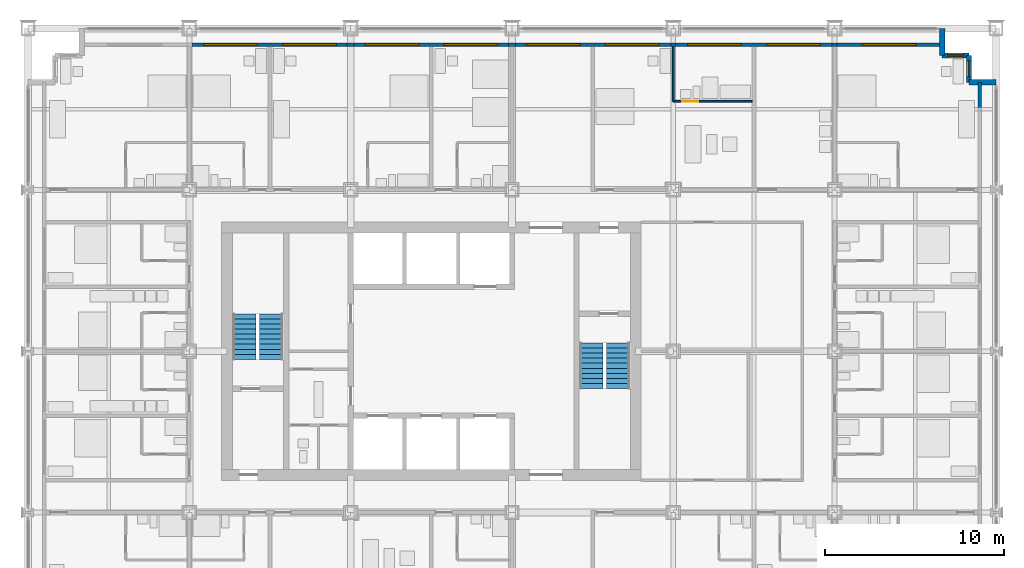
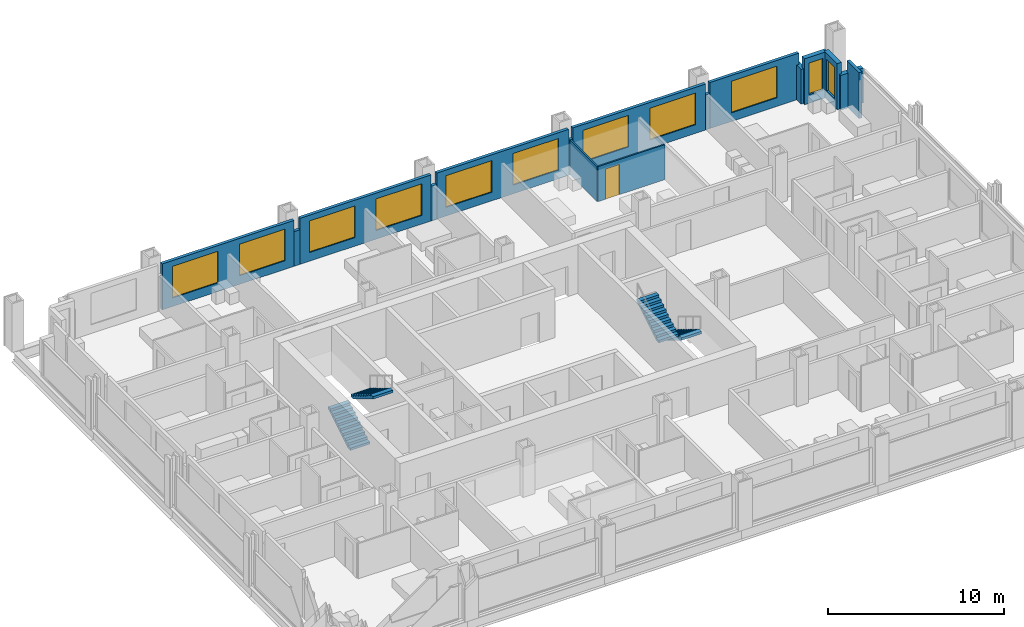
# One storey, part 15 of 18: 16 walls, 11 windows, 4 stair flights, 1 door, 12 openings, 2 elements without a shape of their own.
"""IFC4 building model written with IfcOpenShell, lengths in metres."""

from ifc_helpers import new_model, si_unit, direction, frame, frame_2d, origin, place, context, subcontext, project, spatial, polyline, rectangle, outline, extrude, material, layer, layer_set, type_object, element, fill, aggregate, save


model = new_model("IFC4")

# Units and contexts
model_context = context("Model", 3, precision=1e-05, world=origin(), true_north=direction((0.0, 1.0)))
body_context = subcontext(model_context, "Body", "Model", "MODEL_VIEW")
ifc_project = project(units=[si_unit("LENGTHUNIT", "METRE"), si_unit("AREAUNIT", "SQUARE_METRE"), si_unit("VOLUMEUNIT", "CUBIC_METRE"), si_unit("PLANEANGLEUNIT", "RADIAN"), si_unit("MASSUNIT", "GRAM", prefix="KILO")], contexts=[model_context])

# Site, building, storey
site_placement = place(None, origin())
site = spatial("IfcSite", under=ifc_project, at=site_placement, CompositionType="ELEMENT")
building_placement = place(site_placement, origin())
building = spatial("IfcBuilding", under=site, at=building_placement, Name="Loomwork Tower", CompositionType="ELEMENT")
storey_placement = place(building_placement, frame((0.0, 0.0, 51.800048828125)))
storey = spatial("IfcBuildingStorey", under=building, at=storey_placement, Name="L12", CompositionType="ELEMENT", Elevation=51.800048828125)

# Wall, opening, door
ifc_material_1 = material(Name="Cement board on steel studs", Category="steel")
ifc_layer_1 = layer(ifc_material_1, 0.10009765625)
ifc_layer_set_1 = layer_set([ifc_layer_1], Name="En-suite partition 100")
wall_type_1 = type_object("IfcWallType", Name="En-suite partition 100", PredefinedType="PARTITIONING", material=ifc_layer_set_1)
wall_1_placement = place(storey_placement, frame((36.0, 31.949951171875, 0.0), z_axis=(0.0, 0.0, 1.0), x_axis=(1.0, 0.0, 0.0)))
wall_1 = element("IfcWall", 1, at=wall_1_placement, inside=storey, type_object=wall_type_1, Name="Spa bathroom wall L12 room 12", PredefinedType="PARTITIONING", context=body_context, shape_type="SweptSolid", body=[
    extrude(rectangle(XDim=4.39990234375, YDim=0.10009765625, at=frame_2d((2.199951171875, 0.0))), origin(), (0.0, 0.0, 1.0), 2.43798828125),
])
opening_1_placement = place(wall_1_placement, frame((0.5, 0.0, 0.0)))
opening_1 = element("IfcOpeningElement", 2, at=opening_1_placement, cuts=wall_1, Name="Opening D2", PredefinedType="OPENING", context=body_context, shape_type="SweptSolid", body=[
    extrude(rectangle(XDim=0.89990234375, YDim=2.10009765625, at=frame_2d((0.449951171875, 1.050048828125))), frame((0.0, 0.06005859375, 0.0), z_axis=(0.0, -1.0, 0.0), x_axis=(1.0, 0.0, 0.0)), (0.0, 0.0, 1.0), 0.1201171875),
])
ifc_material_2 = material(Name="Hollow metal door and frame")
door_type = type_object("IfcDoorType", Name="En-suite door 900", OperationType="SINGLE_SWING_LEFT", PredefinedType="DOOR", material=ifc_material_2)
door_placement = place(opening_1_placement, origin())
door = element("IfcDoor", 3, at=door_placement, inside=storey, type_object=door_type, Name="Spa bathroom door room 12", OperationType="SINGLE_SWING_LEFT", OverallHeight=2.10009765625, OverallWidth=0.89990234375, PredefinedType="DOOR", context=body_context, shape_type="SweptSolid", body=[
    extrude(rectangle(XDim=0.89990234375, YDim=2.10009765625, at=frame_2d((0.449951171875, 1.050048828125))), frame((0.0, 0.02490234375, 0.0), z_axis=(0.0, -1.0, 0.0), x_axis=(1.0, 0.0, 0.0)), (0.0, 0.0, 1.0), 0.050048828125),
])
fill(opening_1, door)

# Wall
wall_2_placement = place(storey_placement, frame((36.0, 31.949951171875, 0.0), z_axis=(0.0, 0.0, 1.0), x_axis=(0.0, 1.0, 0.0)))
element("IfcWall", 4, at=wall_2_placement, inside=storey, type_object=wall_type_1, Name="Spa bathroom side wall L12 room 12", PredefinedType="PARTITIONING", context=body_context, shape_type="SweptSolid", body=[
    extrude(rectangle(XDim=3.050048828125, YDim=0.10009765625, at=frame_2d((1.52490234375, 0.0))), origin(), (0.0, 0.0, 1.0), 2.43798828125),
])

# Wall, openings, windows
ifc_material_3 = material(Name="Insulated steel stud wall with gypsum lining", Category="steel")
ifc_layer_2 = layer(ifc_material_3, 0.199951171875)
ifc_layer_set_2 = layer_set([ifc_layer_2], Name="Inner skin wall 200")
wall_type_2 = type_object("IfcWallType", Name="Inner skin wall 200", PredefinedType="SOLIDWALL", material=ifc_layer_set_2)
wall_3_placement = place(storey_placement, frame((9.13525390625, 35.10009765625, 0.0), z_axis=(0.0, 0.0, 1.0), x_axis=(1.0, 0.0, 0.0)))
wall_3 = element("IfcWall", 5, at=wall_3_placement, inside=storey, type_object=wall_type_2, Name="Inner skin wall N bay 3", PredefinedType="SOLIDWALL", context=body_context, shape_type="SweptSolid", body=[
    extrude(rectangle(XDim=8.6708984375, YDim=0.199951171875, at=frame_2d((4.33544921875, 0.0))), origin(), (0.0, 0.0, 1.0), 3.199951171875),
])
opening_2_placement = place(wall_3_placement, frame((0.664794921875, 0.0, 0.60009765625)))
opening_2 = element("IfcOpeningElement", 6, at=opening_2_placement, cuts=wall_3, Name="Opening CH1", PredefinedType="OPENING", context=body_context, shape_type="SweptSolid", body=[
    extrude(rectangle(XDim=3.0, YDim=2.199951171875, at=frame_2d((1.5, 1.10009765625))), frame((0.0, 0.10986328125, 0.0), z_axis=(0.0, -1.0, 0.0), x_axis=(1.0, 0.0, 0.0)), (0.0, 0.0, 1.0), 0.219970703125),
])
opening_3_placement = place(wall_3_placement, frame((5.064697265625, 0.0, 0.60009765625)))
opening_3 = element("IfcOpeningElement", 7, at=opening_3_placement, cuts=wall_3, Name="Opening CH1", PredefinedType="OPENING", context=body_context, shape_type="SweptSolid", body=[
    extrude(rectangle(XDim=3.0, YDim=2.199951171875, at=frame_2d((1.5, 1.10009765625))), frame((0.0, 0.10986328125, 0.0), z_axis=(0.0, -1.0, 0.0), x_axis=(1.0, 0.0, 0.0)), (0.0, 0.0, 1.0), 0.219970703125),
])
ifc_material_4 = material(Name="Aluminium frame with clear insulated glass", Category="aluminium")
window_type_1 = type_object("IfcWindowType", Name="Chicago window 3000", PartitioningType="TRIPLE_PANEL_VERTICAL", PredefinedType="WINDOW", material=ifc_material_4)
window_1_placement = place(opening_2_placement, origin())
window_1 = element("IfcWindow", 8, at=window_1_placement, inside=storey, type_object=window_type_1, Name="Chicago window L12 bay 8", OverallHeight=2.199951171875, OverallWidth=3.0, PartitioningType="TRIPLE_PANEL_VERTICAL", PredefinedType="WINDOW", context=body_context, shape_type="SweptSolid", body=[
    extrude(rectangle(XDim=3.0, YDim=2.199951171875, at=frame_2d((1.5, 1.10009765625))), frame((0.0, 0.030029296875, 0.0), z_axis=(0.0, -1.0, 0.0), x_axis=(1.0, 0.0, 0.0)), (0.0, 0.0, 1.0), 0.06005859375),
])
fill(opening_2, window_1)
window_2_placement = place(opening_3_placement, origin())
window_2 = element("IfcWindow", 9, at=window_2_placement, inside=storey, type_object=window_type_1, Name="Chicago window L12 bay 8", OverallHeight=2.199951171875, OverallWidth=3.0, PartitioningType="TRIPLE_PANEL_VERTICAL", PredefinedType="WINDOW", context=body_context, shape_type="SweptSolid", body=[
    extrude(rectangle(XDim=3.0, YDim=2.199951171875, at=frame_2d((1.5, 1.10009765625))), frame((0.0, 0.030029296875, 0.0), z_axis=(0.0, -1.0, 0.0), x_axis=(1.0, 0.0, 0.0)), (0.0, 0.0, 1.0), 0.06005859375),
])
fill(opening_3, window_2)

# Wall
wall_4_placement = place(storey_placement, frame((17.80615234375, 35.10009765625, 0.0), z_axis=(0.0, 0.0, 1.0), x_axis=(1.0, 0.0, 0.0)))
element("IfcWall", 10, at=wall_4_placement, inside=storey, type_object=wall_type_2, Name="Inner skin wall N bay 4", PredefinedType="SOLIDWALL", context=body_context, shape_type="SweptSolid", body=[
    extrude(rectangle(XDim=0.3876953125, YDim=0.199951171875, at=frame_2d((0.19384765625, 0.0))), origin(), (0.0, 0.0, 1.0), 2.404052734375),
])

# Wall, openings, windows
wall_5_placement = place(storey_placement, frame((18.19384765625, 35.10009765625, 0.0), z_axis=(0.0, 0.0, 1.0), x_axis=(1.0, 0.0, 0.0)))
wall_5 = element("IfcWall", 11, at=wall_5_placement, inside=storey, type_object=wall_type_2, Name="Inner skin wall N bay 5", PredefinedType="SOLIDWALL", context=body_context, shape_type="SweptSolid", body=[
    extrude(rectangle(XDim=8.6123046875, YDim=0.199951171875, at=frame_2d((4.30615234375, 0.0))), origin(), (0.0, 0.0, 1.0), 3.199951171875),
])
opening_4_placement = place(wall_5_placement, frame((0.606201171875, 0.0, 0.60009765625)))
opening_4 = element("IfcOpeningElement", 12, at=opening_4_placement, cuts=wall_5, Name="Opening CH1", PredefinedType="OPENING", context=body_context, shape_type="SweptSolid", body=[
    extrude(rectangle(XDim=3.0, YDim=2.199951171875, at=frame_2d((1.5, 1.10009765625))), frame((0.0, 0.10986328125, 0.0), z_axis=(0.0, -1.0, 0.0), x_axis=(1.0, 0.0, 0.0)), (0.0, 0.0, 1.0), 0.219970703125),
])
opening_5_placement = place(wall_5_placement, frame((5.006103515625, 0.0, 0.60009765625)))
opening_5 = element("IfcOpeningElement", 13, at=opening_5_placement, cuts=wall_5, Name="Opening CH1", PredefinedType="OPENING", context=body_context, shape_type="SweptSolid", body=[
    extrude(rectangle(XDim=3.0, YDim=2.199951171875, at=frame_2d((1.5, 1.10009765625))), frame((0.0, 0.10986328125, 0.0), z_axis=(0.0, -1.0, 0.0), x_axis=(1.0, 0.0, 0.0)), (0.0, 0.0, 1.0), 0.219970703125),
])
window_3_placement = place(opening_4_placement, origin())
window_3 = element("IfcWindow", 14, at=window_3_placement, inside=storey, type_object=window_type_1, Name="Chicago window L12 bay 9", OverallHeight=2.199951171875, OverallWidth=3.0, PartitioningType="TRIPLE_PANEL_VERTICAL", PredefinedType="WINDOW", context=body_context, shape_type="SweptSolid", body=[
    extrude(rectangle(XDim=3.0, YDim=2.199951171875, at=frame_2d((1.5, 1.10009765625))), frame((0.0, 0.030029296875, 0.0), z_axis=(0.0, -1.0, 0.0), x_axis=(1.0, 0.0, 0.0)), (0.0, 0.0, 1.0), 0.06005859375),
])
fill(opening_4, window_3)
window_4_placement = place(opening_5_placement, origin())
window_4 = element("IfcWindow", 15, at=window_4_placement, inside=storey, type_object=window_type_1, Name="Chicago window L12 bay 9", OverallHeight=2.199951171875, OverallWidth=3.0, PartitioningType="TRIPLE_PANEL_VERTICAL", PredefinedType="WINDOW", context=body_context, shape_type="SweptSolid", body=[
    extrude(rectangle(XDim=3.0, YDim=2.199951171875, at=frame_2d((1.5, 1.10009765625))), frame((0.0, 0.030029296875, 0.0), z_axis=(0.0, -1.0, 0.0), x_axis=(1.0, 0.0, 0.0)), (0.0, 0.0, 1.0), 0.06005859375),
])
fill(opening_5, window_4)

# Wall
wall_6_placement = place(storey_placement, frame((26.80615234375, 35.10009765625, 0.0), z_axis=(0.0, 0.0, 1.0), x_axis=(1.0, 0.0, 0.0)))
element("IfcWall", 16, at=wall_6_placement, inside=storey, type_object=wall_type_2, Name="Inner skin wall N bay 6", PredefinedType="SOLIDWALL", context=body_context, shape_type="SweptSolid", body=[
    extrude(rectangle(XDim=0.3876953125, YDim=0.199951171875, at=frame_2d((0.19384765625, 0.0))), origin(), (0.0, 0.0, 1.0), 2.404052734375),
])

# Wall, openings, windows
wall_7_placement = place(storey_placement, frame((27.19384765625, 35.10009765625, 0.0), z_axis=(0.0, 0.0, 1.0), x_axis=(1.0, 0.0, 0.0)))
wall_7 = element("IfcWall", 17, at=wall_7_placement, inside=storey, type_object=wall_type_2, Name="Inner skin wall N bay 7", PredefinedType="SOLIDWALL", context=body_context, shape_type="SweptSolid", body=[
    extrude(rectangle(XDim=8.670654296875, YDim=0.199951171875, at=frame_2d((4.33544921875, 0.0))), origin(), (0.0, 0.0, 1.0), 3.199951171875),
])
opening_6_placement = place(wall_7_placement, frame((0.606201171875, 0.0, 0.60009765625)))
opening_6 = element("IfcOpeningElement", 18, at=opening_6_placement, cuts=wall_7, Name="Opening CH1", PredefinedType="OPENING", context=body_context, shape_type="SweptSolid", body=[
    extrude(rectangle(XDim=3.0, YDim=2.199951171875, at=frame_2d((1.5, 1.10009765625))), frame((0.0, 0.10986328125, 0.0), z_axis=(0.0, -1.0, 0.0), x_axis=(1.0, 0.0, 0.0)), (0.0, 0.0, 1.0), 0.219970703125),
])
opening_7_placement = place(wall_7_placement, frame((5.006103515625, 0.0, 0.60009765625)))
opening_7 = element("IfcOpeningElement", 19, at=opening_7_placement, cuts=wall_7, Name="Opening CH1", PredefinedType="OPENING", context=body_context, shape_type="SweptSolid", body=[
    extrude(rectangle(XDim=3.0, YDim=2.199951171875, at=frame_2d((1.5, 1.10009765625))), frame((0.0, 0.10986328125, 0.0), z_axis=(0.0, -1.0, 0.0), x_axis=(1.0, 0.0, 0.0)), (0.0, 0.0, 1.0), 0.219970703125),
])
window_5_placement = place(opening_6_placement, origin())
window_5 = element("IfcWindow", 20, at=window_5_placement, inside=storey, type_object=window_type_1, Name="Chicago window L12 bay 10", OverallHeight=2.199951171875, OverallWidth=3.0, PartitioningType="TRIPLE_PANEL_VERTICAL", PredefinedType="WINDOW", context=body_context, shape_type="SweptSolid", body=[
    extrude(rectangle(XDim=3.0, YDim=2.199951171875, at=frame_2d((1.5, 1.10009765625))), frame((0.0, 0.030029296875, 0.0), z_axis=(0.0, -1.0, 0.0), x_axis=(1.0, 0.0, 0.0)), (0.0, 0.0, 1.0), 0.06005859375),
])
fill(opening_6, window_5)
window_6_placement = place(opening_7_placement, origin())
window_6 = element("IfcWindow", 21, at=window_6_placement, inside=storey, type_object=window_type_1, Name="Chicago window L12 bay 10", OverallHeight=2.199951171875, OverallWidth=3.0, PartitioningType="TRIPLE_PANEL_VERTICAL", PredefinedType="WINDOW", context=body_context, shape_type="SweptSolid", body=[
    extrude(rectangle(XDim=3.0, YDim=2.199951171875, at=frame_2d((1.5, 1.10009765625))), frame((0.0, 0.030029296875, 0.0), z_axis=(0.0, -1.0, 0.0), x_axis=(1.0, 0.0, 0.0)), (0.0, 0.0, 1.0), 0.06005859375),
])
fill(opening_7, window_6)

# Wall
wall_8_placement = place(storey_placement, frame((35.864501953125, 35.10009765625, 0.0), z_axis=(0.0, 0.0, 1.0), x_axis=(1.0, 0.0, 0.0)))
element("IfcWall", 22, at=wall_8_placement, inside=storey, type_object=wall_type_2, Name="Inner skin wall N bay 8", PredefinedType="SOLIDWALL", context=body_context, shape_type="SweptSolid", body=[
    extrude(rectangle(XDim=0.27099609375, YDim=0.199951171875, at=frame_2d((0.135498046875, 0.0))), origin(), (0.0, 0.0, 1.0), 2.43798828125),
])

# Wall, openings, windows
wall_9_placement = place(storey_placement, frame((36.135498046875, 35.10009765625, 0.0), z_axis=(0.0, 0.0, 1.0), x_axis=(1.0, 0.0, 0.0)))
wall_9 = element("IfcWall", 23, at=wall_9_placement, inside=storey, type_object=wall_type_2, Name="Inner skin wall N bay 9", PredefinedType="SOLIDWALL", context=body_context, shape_type="SweptSolid", body=[
    extrude(rectangle(XDim=8.72900390625, YDim=0.199951171875, at=frame_2d((4.364501953125, 0.0))), origin(), (0.0, 0.0, 1.0), 3.199951171875),
])
opening_8_placement = place(wall_9_placement, frame((0.66455078125, 0.0, 0.60009765625)))
opening_8 = element("IfcOpeningElement", 24, at=opening_8_placement, cuts=wall_9, Name="Opening CH1", PredefinedType="OPENING", context=body_context, shape_type="SweptSolid", body=[
    extrude(rectangle(XDim=3.0, YDim=2.199951171875, at=frame_2d((1.5, 1.10009765625))), frame((0.0, 0.10986328125, 0.0), z_axis=(0.0, -1.0, 0.0), x_axis=(1.0, 0.0, 0.0)), (0.0, 0.0, 1.0), 0.219970703125),
])
opening_9_placement = place(wall_9_placement, frame((5.064697265625, 0.0, 0.60009765625)))
opening_9 = element("IfcOpeningElement", 25, at=opening_9_placement, cuts=wall_9, Name="Opening CH1", PredefinedType="OPENING", context=body_context, shape_type="SweptSolid", body=[
    extrude(rectangle(XDim=3.0, YDim=2.199951171875, at=frame_2d((1.5, 1.10009765625))), frame((0.0, 0.10986328125, 0.0), z_axis=(0.0, -1.0, 0.0), x_axis=(1.0, 0.0, 0.0)), (0.0, 0.0, 1.0), 0.219970703125),
])
window_7_placement = place(opening_8_placement, origin())
window_7 = element("IfcWindow", 26, at=window_7_placement, inside=storey, type_object=window_type_1, Name="Chicago window L12 bay 11", OverallHeight=2.199951171875, OverallWidth=3.0, PartitioningType="TRIPLE_PANEL_VERTICAL", PredefinedType="WINDOW", context=body_context, shape_type="SweptSolid", body=[
    extrude(rectangle(XDim=3.0, YDim=2.199951171875, at=frame_2d((1.5, 1.10009765625))), frame((0.0, 0.030029296875, 0.0), z_axis=(0.0, -1.0, 0.0), x_axis=(1.0, 0.0, 0.0)), (0.0, 0.0, 1.0), 0.06005859375),
])
fill(opening_8, window_7)
window_8_placement = place(opening_9_placement, origin())
window_8 = element("IfcWindow", 27, at=window_8_placement, inside=storey, type_object=window_type_1, Name="Chicago window L12 bay 11", OverallHeight=2.199951171875, OverallWidth=3.0, PartitioningType="TRIPLE_PANEL_VERTICAL", PredefinedType="WINDOW", context=body_context, shape_type="SweptSolid", body=[
    extrude(rectangle(XDim=3.0, YDim=2.199951171875, at=frame_2d((1.5, 1.10009765625))), frame((0.0, 0.030029296875, 0.0), z_axis=(0.0, -1.0, 0.0), x_axis=(1.0, 0.0, 0.0)), (0.0, 0.0, 1.0), 0.06005859375),
])
fill(opening_9, window_8)

# Wall
wall_10_placement = place(storey_placement, frame((44.864501953125, 35.10009765625, 0.0), z_axis=(0.0, 0.0, 1.0), x_axis=(1.0, 0.0, 0.0)))
element("IfcWall", 28, at=wall_10_placement, inside=storey, type_object=wall_type_2, Name="Inner skin wall N bay 10", PredefinedType="SOLIDWALL", context=body_context, shape_type="SweptSolid", body=[
    extrude(rectangle(XDim=0.27099609375, YDim=0.199951171875, at=frame_2d((0.135498046875, 0.0))), origin(), (0.0, 0.0, 1.0), 2.43798828125),
])

# Wall, opening, window
wall_11_placement = place(storey_placement, frame((45.135498046875, 35.10009765625, 0.0), z_axis=(0.0, 0.0, 1.0), x_axis=(1.0, 0.0, 0.0)))
wall_11 = element("IfcWall", 29, at=wall_11_placement, inside=storey, type_object=wall_type_2, Name="Inner skin wall N bay 11", PredefinedType="SOLIDWALL", context=body_context, shape_type="SweptSolid", body=[
    extrude(rectangle(XDim=5.864501953125, YDim=0.199951171875, at=frame_2d((2.93212890625, 0.0))), origin(), (0.0, 0.0, 1.0), 3.199951171875),
])
opening_10_placement = place(wall_11_placement, frame((1.41455078125, 0.0, 0.60009765625)))
opening_10 = element("IfcOpeningElement", 30, at=opening_10_placement, cuts=wall_11, Name="Opening CH1", PredefinedType="OPENING", context=body_context, shape_type="SweptSolid", body=[
    extrude(rectangle(XDim=3.0, YDim=2.199951171875, at=frame_2d((1.5, 1.10009765625))), frame((0.0, 0.10986328125, 0.0), z_axis=(0.0, -1.0, 0.0), x_axis=(1.0, 0.0, 0.0)), (0.0, 0.0, 1.0), 0.219970703125),
])
window_9_placement = place(opening_10_placement, origin())
window_9 = element("IfcWindow", 31, at=window_9_placement, inside=storey, type_object=window_type_1, Name="Chicago window L12 bay 12", OverallHeight=2.199951171875, OverallWidth=3.0, PartitioningType="TRIPLE_PANEL_VERTICAL", PredefinedType="WINDOW", context=body_context, shape_type="SweptSolid", body=[
    extrude(rectangle(XDim=3.0, YDim=2.199951171875, at=frame_2d((1.5, 1.10009765625))), frame((0.0, 0.030029296875, 0.0), z_axis=(0.0, -1.0, 0.0), x_axis=(1.0, 0.0, 0.0)), (0.0, 0.0, 1.0), 0.06005859375),
])
fill(opening_10, window_9)

# Walls
wall_12_placement = place(storey_placement, frame((53.10009765625, 31.607421875, 0.0), z_axis=(0.0, 0.0, 1.0), x_axis=(0.0, 1.0, 0.0)))
element("IfcWall", 32, at=wall_12_placement, inside=storey, type_object=wall_type_2, Name="Inner skin wall E bay 11", PredefinedType="SOLIDWALL", context=body_context, shape_type="SweptSolid", body=[
    extrude(rectangle(XDim=1.392578125, YDim=0.199951171875, at=frame_2d((0.6962890625, 0.0))), origin(), (0.0, 0.0, 1.0), 3.199951171875),
])
ifc_material_5 = material(Name="Limestone on concrete masonry", Category="masonry")
ifc_layer_3 = layer(ifc_material_5, 0.300048828125)
ifc_layer_set_3 = layer_set([ifc_layer_3], Name="Limestone corner wall 300")
wall_type_3 = type_object("IfcWallType", Name="Limestone corner wall 300", PredefinedType="SOLIDWALL", material=ifc_layer_set_3)
wall_13_placement = place(storey_placement, frame((54.0, 33.0, 0.0), z_axis=(0.0, 0.0, 1.0), x_axis=(-1.0, 0.0, 0.0)))
element("IfcWall", 33, at=wall_13_placement, inside=storey, type_object=wall_type_3, Name="Stone corner wall NE 1", PredefinedType="SOLIDWALL", context=body_context, shape_type="SweptSolid", body=[
    extrude(rectangle(XDim=1.5, YDim=0.300048828125, at=frame_2d((0.75, 0.0))), origin(), (0.0, 0.0, 1.0), 2.419921875),
])

# Wall, opening, window
wall_14_placement = place(storey_placement, frame((52.5, 33.0, 0.0), z_axis=(0.0, 0.0, 1.0), x_axis=(0.0, 1.0, 0.0)))
wall_14 = element("IfcWall", 34, at=wall_14_placement, inside=storey, type_object=wall_type_3, Name="Stone corner wall NE 2", PredefinedType="SOLIDWALL", context=body_context, shape_type="SweptSolid", body=[
    extrude(rectangle(XDim=1.5, YDim=0.300048828125, at=frame_2d((0.75, 0.0))), origin(), (0.0, 0.0, 1.0), 3.199951171875),
])
opening_11_placement = place(wall_14_placement, frame((0.300048828125, 0.0, 0.60009765625)))
opening_11 = element("IfcOpeningElement", 35, at=opening_11_placement, cuts=wall_14, Name="Opening CH2", PredefinedType="OPENING", context=body_context, shape_type="SweptSolid", body=[
    extrude(rectangle(XDim=0.89990234375, YDim=2.199951171875, at=frame_2d((0.449951171875, 1.10009765625))), frame((0.0, 0.159912109375, 0.0), z_axis=(0.0, -1.0, 0.0), x_axis=(1.0, 0.0, 0.0)), (0.0, 0.0, 1.0), 0.320068359375),
])
ifc_material_6 = material(Name="Aluminium frame with clear insulated glass", Category="aluminium")
window_type_2 = type_object("IfcWindowType", Name="Corner window 900", PartitioningType="SINGLE_PANEL", PredefinedType="WINDOW", material=ifc_material_6)
window_10_placement = place(opening_11_placement, origin())
window_10 = element("IfcWindow", 36, at=window_10_placement, inside=storey, type_object=window_type_2, Name="Corner window NE", OverallHeight=2.199951171875, OverallWidth=0.89990234375, PartitioningType="SINGLE_PANEL", PredefinedType="WINDOW", context=body_context, shape_type="SweptSolid", body=[
    extrude(rectangle(XDim=0.89990234375, YDim=2.199951171875, at=frame_2d((0.449951171875, 1.10009765625))), frame((0.0, 0.030029296875, 0.0), z_axis=(0.0, -1.0, 0.0), x_axis=(1.0, 0.0, 0.0)), (0.0, 0.0, 1.0), 0.06005859375),
])
fill(opening_11, window_10)

wall_15_placement = place(storey_placement, frame((52.5, 34.5, 0.0), z_axis=(0.0, 0.0, 1.0), x_axis=(-1.0, 0.0, 0.0)))
wall_15 = element("IfcWall", 37, at=wall_15_placement, inside=storey, type_object=wall_type_3, Name="Stone corner wall NE 3", PredefinedType="SOLIDWALL", context=body_context, shape_type="SweptSolid", body=[
    extrude(rectangle(XDim=1.5, YDim=0.300048828125, at=frame_2d((0.75, 0.0))), origin(), (0.0, 0.0, 1.0), 3.199951171875),
])
opening_12_placement = place(wall_15_placement, frame((0.300048828125, 0.0, 0.60009765625)))
opening_12 = element("IfcOpeningElement", 38, at=opening_12_placement, cuts=wall_15, Name="Opening CH2", PredefinedType="OPENING", context=body_context, shape_type="SweptSolid", body=[
    extrude(rectangle(XDim=0.89990234375, YDim=2.199951171875, at=frame_2d((0.449951171875, 1.10009765625))), frame((0.0, 0.159912109375, 0.0), z_axis=(0.0, -1.0, 0.0), x_axis=(1.0, 0.0, 0.0)), (0.0, 0.0, 1.0), 0.320068359375),
])
window_11_placement = place(opening_12_placement, origin())
window_11 = element("IfcWindow", 39, at=window_11_placement, inside=storey, type_object=window_type_2, Name="Corner window NE", OverallHeight=2.199951171875, OverallWidth=0.89990234375, PartitioningType="SINGLE_PANEL", PredefinedType="WINDOW", context=body_context, shape_type="SweptSolid", body=[
    extrude(rectangle(XDim=0.89990234375, YDim=2.199951171875, at=frame_2d((0.449951171875, 1.10009765625))), frame((0.0, 0.030029296875, 0.0), z_axis=(0.0, -1.0, 0.0), x_axis=(1.0, 0.0, 0.0)), (0.0, 0.0, 1.0), 0.06005859375),
])
fill(opening_12, window_11)

# Wall
wall_16_placement = place(storey_placement, frame((51.0, 34.5, 0.0), z_axis=(0.0, 0.0, 1.0), x_axis=(0.0, 1.0, 0.0)))
element("IfcWall", 40, at=wall_16_placement, inside=storey, type_object=wall_type_3, Name="Stone corner wall NE 4", PredefinedType="SOLIDWALL", context=body_context, shape_type="SweptSolid", body=[
    extrude(rectangle(XDim=1.5, YDim=0.300048828125, at=frame_2d((0.75, 0.0))), origin(), (0.0, 0.0, 1.0), 2.419921875),
])

# Stair, stair flights
ifc_material_7 = material(Name="Concrete 5000 psi (34 MPa) precast stair", Category="concrete")
stair_type_1 = type_object("IfcStairType", Name="Stair ST-A 20 risers 2850 wide", PredefinedType="HALF_TURN_STAIR", material=ifc_material_7)
stair_1_placement = place(storey_placement, origin())
stair_1 = element("IfcStair", 41, at=stair_1_placement, inside=storey, type_object=stair_type_1, Name="Stair A L12", PredefinedType="HALF_TURN_STAIR")
ifc_material_8 = material(Name="Concrete 5000 psi (34 MPa) precast stair", Category="concrete")
stair_flight_type_1 = type_object("IfcStairFlightType", Name="Stair flight ST-A 10 risers 1300 wide", PredefinedType="STRAIGHT", material=ifc_material_8)
stair_flight_1_placement = place(storey_placement, frame((12.074951171875, 17.550048828125, 0.0), z_axis=(0.0, 0.0, 1.0), x_axis=(0.0, 1.0, 0.0)))
stair_flight_1 = element("IfcStairFlight", 42, at=stair_flight_1_placement, type_object=stair_flight_type_1, Name="ST-A flight 1", NumberOfRisers=10, NumberOfTreads=9, PredefinedType="STRAIGHT", RiserHeight=0.17, TreadLength=0.28, context=body_context, shape_type="SweptSolid", body=[
    extrude(outline(polyline([(0.0, 0.0), (0.0, 0.169921875), (0.280029296875, 0.169921875), (0.280029296875, 0.340087890625), (0.56005859375, 0.340087890625), (0.56005859375, 0.510009765625), (0.840087890625, 0.510009765625), (0.840087890625, 0.679931640625), (1.1201171875, 0.679931640625), (1.1201171875, 0.85009765625), (1.39990234375, 0.85009765625), (1.39990234375, 1.02001953125), (1.679931640625, 1.02001953125), (1.679931640625, 1.18994140625), (1.9599609375, 1.18994140625), (1.9599609375, 1.360107421875), (2.239990234375, 1.360107421875), (2.239990234375, 1.530029296875), (2.52001953125, 1.530029296875), (2.52001953125, 1.699951171875), (2.52001953125, 1.354736328125), (0.288818359375, 0.0), (0.0, 0.0)])), frame((0.0, 0.64990234375, 0.0), z_axis=(0.0, -1.0, 0.0), x_axis=(1.0, 0.0, 0.0)), (0.0, 0.0, 1.0), 1.300048828125),
])
stair_flight_2_placement = place(storey_placement, frame((13.574951171875, 20.070068359375, 1.699951171875), z_axis=(0.0, 0.0, 1.0), x_axis=(0.0, -1.0, 0.0)))
stair_flight_2 = element("IfcStairFlight", 43, at=stair_flight_2_placement, type_object=stair_flight_type_1, Name="ST-A flight 2", NumberOfRisers=10, NumberOfTreads=9, PredefinedType="STRAIGHT", RiserHeight=0.17, TreadLength=0.28, context=body_context, shape_type="SweptSolid", body=[
    extrude(outline(polyline([(0.0, 0.0), (0.0, 0.169921875), (0.280029296875, 0.169921875), (0.280029296875, 0.340087890625), (0.56005859375, 0.340087890625), (0.56005859375, 0.510009765625), (0.840087890625, 0.510009765625), (0.840087890625, 0.679931640625), (1.1201171875, 0.679931640625), (1.1201171875, 0.85009765625), (1.39990234375, 0.85009765625), (1.39990234375, 1.02001953125), (1.679931640625, 1.02001953125), (1.679931640625, 1.18994140625), (1.9599609375, 1.18994140625), (1.9599609375, 1.360107421875), (2.239990234375, 1.360107421875), (2.239990234375, 1.530029296875), (2.52001953125, 1.530029296875), (2.52001953125, 1.699951171875), (2.52001953125, 1.354736328125), (0.288818359375, 0.0), (0.0, 0.0)])), frame((0.0, 0.64990234375, 0.0), z_axis=(0.0, -1.0, 0.0), x_axis=(1.0, 0.0, 0.0)), (0.0, 0.0, 1.0), 1.300048828125),
])
aggregate(stair_1, [stair_flight_1, stair_flight_2])

ifc_material_9 = material(Name="Concrete 5000 psi (34 MPa) precast stair", Category="concrete")
stair_type_2 = type_object("IfcStairType", Name="Stair ST-B 20 risers 2850 wide", PredefinedType="HALF_TURN_STAIR", material=ifc_material_9)
stair_2_placement = place(storey_placement, origin())
stair_2 = element("IfcStair", 44, at=stair_2_placement, inside=storey, type_object=stair_type_2, Name="Stair B L12", PredefinedType="HALF_TURN_STAIR")
ifc_material_10 = material(Name="Concrete 5000 psi (34 MPa) precast stair", Category="concrete")
stair_flight_type_2 = type_object("IfcStairFlightType", Name="Stair flight ST-B 10 risers 1300 wide", PredefinedType="STRAIGHT", material=ifc_material_10)
stair_flight_3_placement = place(storey_placement, frame((32.925048828125, 18.449951171875, 0.0), z_axis=(0.0, 0.0, 1.0), x_axis=(0.0, -1.0, 0.0)))
stair_flight_3 = element("IfcStairFlight", 45, at=stair_flight_3_placement, type_object=stair_flight_type_2, Name="ST-B flight 1", NumberOfRisers=10, NumberOfTreads=9, PredefinedType="STRAIGHT", RiserHeight=0.17, TreadLength=0.28, context=body_context, shape_type="SweptSolid", body=[
    extrude(outline(polyline([(0.0, 0.0), (0.0, 0.169921875), (0.280029296875, 0.169921875), (0.280029296875, 0.340087890625), (0.56005859375, 0.340087890625), (0.56005859375, 0.510009765625), (0.840087890625, 0.510009765625), (0.840087890625, 0.679931640625), (1.1201171875, 0.679931640625), (1.1201171875, 0.85009765625), (1.39990234375, 0.85009765625), (1.39990234375, 1.02001953125), (1.679931640625, 1.02001953125), (1.679931640625, 1.18994140625), (1.9599609375, 1.18994140625), (1.9599609375, 1.360107421875), (2.239990234375, 1.360107421875), (2.239990234375, 1.530029296875), (2.52001953125, 1.530029296875), (2.52001953125, 1.699951171875), (2.52001953125, 1.354736328125), (0.288818359375, 0.0), (0.0, 0.0)])), frame((0.0, 0.64990234375, 0.0), z_axis=(0.0, -1.0, 0.0), x_axis=(1.0, 0.0, 0.0)), (0.0, 0.0, 1.0), 1.300048828125),
])
stair_flight_4_placement = place(storey_placement, frame((31.425048828125, 15.929931640625, 1.699951171875), z_axis=(0.0, 0.0, 1.0), x_axis=(0.0, 1.0, 0.0)))
stair_flight_4 = element("IfcStairFlight", 46, at=stair_flight_4_placement, type_object=stair_flight_type_2, Name="ST-B flight 2", NumberOfRisers=10, NumberOfTreads=9, PredefinedType="STRAIGHT", RiserHeight=0.17, TreadLength=0.28, context=body_context, shape_type="SweptSolid", body=[
    extrude(outline(polyline([(0.0, 0.0), (0.0, 0.169921875), (0.280029296875, 0.169921875), (0.280029296875, 0.340087890625), (0.56005859375, 0.340087890625), (0.56005859375, 0.510009765625), (0.840087890625, 0.510009765625), (0.840087890625, 0.679931640625), (1.1201171875, 0.679931640625), (1.1201171875, 0.85009765625), (1.39990234375, 0.85009765625), (1.39990234375, 1.02001953125), (1.679931640625, 1.02001953125), (1.679931640625, 1.18994140625), (1.9599609375, 1.18994140625), (1.9599609375, 1.360107421875), (2.239990234375, 1.360107421875), (2.239990234375, 1.530029296875), (2.52001953125, 1.530029296875), (2.52001953125, 1.699951171875), (2.52001953125, 1.354736328125), (0.288818359375, 0.0), (0.0, 0.0)])), frame((0.0, 0.64990234375, 0.0), z_axis=(0.0, -1.0, 0.0), x_axis=(1.0, 0.0, 0.0)), (0.0, 0.0, 1.0), 1.300048828125),
])
aggregate(stair_2, [stair_flight_3, stair_flight_4])

save(model, "model.ifc")
